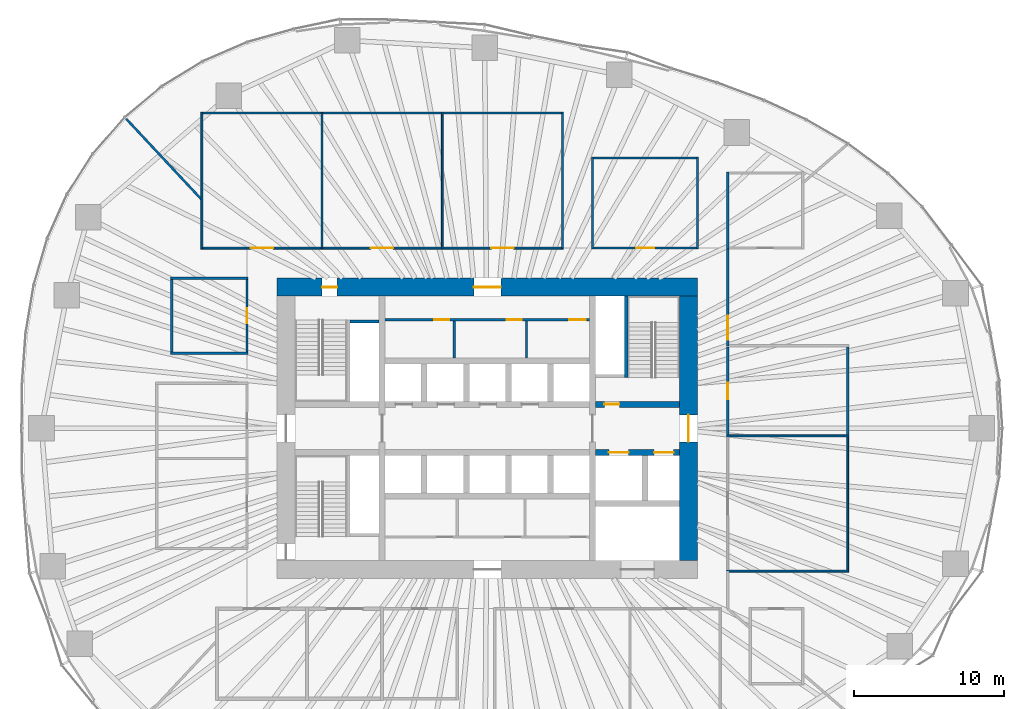
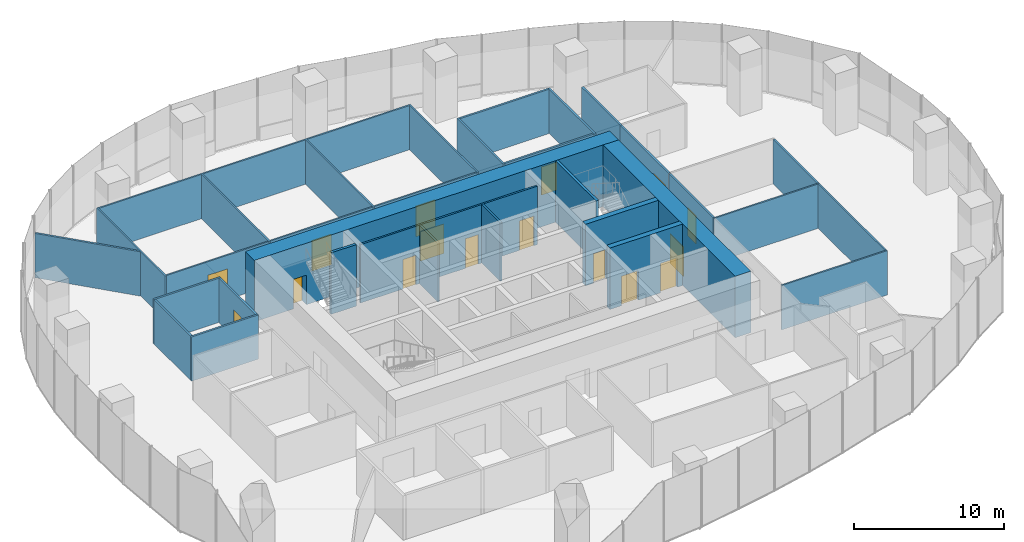
# One storey, part 11 of 20: 35 walls, 16 doors, 16 openings.
"""IFC4 building model written with IfcOpenShell, lengths in metres."""

from ifc_helpers import new_model, si_unit, direction, frame, frame_2d, origin, place, context, subcontext, project, spatial, rectangle, extrude, material, layer, layer_set, type_object, element, fill, save


model = new_model("IFC4")

# Units and contexts
model_context = context("Model", 3, precision=1e-05, world=origin(), true_north=direction((0.0, 1.0)))
body_context = subcontext(model_context, "Body", "Model", "MODEL_VIEW")
ifc_project = project(units=[si_unit("LENGTHUNIT", "METRE"), si_unit("AREAUNIT", "SQUARE_METRE"), si_unit("VOLUMEUNIT", "CUBIC_METRE"), si_unit("PLANEANGLEUNIT", "RADIAN"), si_unit("MASSUNIT", "GRAM", prefix="KILO")], contexts=[model_context])

# Site, building, storey
site_placement = place(None, origin())
site = spatial("IfcSite", under=ifc_project, at=site_placement, CompositionType="ELEMENT")
building_placement = place(site_placement, origin())
building = spatial("IfcBuilding", under=site, at=building_placement, Name="Ghaith Harvest Tower", CompositionType="ELEMENT")
storey_placement = place(building_placement, frame((0.0, 0.0, 60.0)))
storey = spatial("IfcBuildingStorey", under=building, at=storey_placement, Name="L12", CompositionType="ELEMENT", Elevation=60.0)

# Wall, openings, doors
ifc_material_1 = material(Name="Concrete blockwork, fair-faced", Category="masonry")
ifc_layer_1 = layer(ifc_material_1, 0.139892578125)
ifc_layer_set_1 = layer_set([ifc_layer_1], Name="CORE PARTITION 140")
wall_type_1 = type_object("IfcWallType", Name="CORE PARTITION 140", PredefinedType="PARTITIONING", material=ifc_layer_set_1)
wall_1_placement = place(storey_placement, frame((-6.800048828125, 7.22998046875, 0.0), z_axis=(0.0, 0.0, 1.0), x_axis=(1.0, 0.0, 0.0)))
wall_1 = element("IfcWall", 1, at=wall_1_placement, inside=storey, type_object=wall_type_1, Name="Core partition L12", PredefinedType="PARTITIONING", context=body_context, shape_type="SweptSolid", body=[
    extrude(rectangle(XDim=13.60009765625, YDim=0.139892578125, at=frame_2d((6.800048828125, 0.0))), origin(), (0.0, 0.0, 1.0), 4.75),
])
opening_1_placement = place(wall_1_placement, frame((3.280029296875, 0.0, 0.0)))
opening_1 = element("IfcOpeningElement", 2, at=opening_1_placement, cuts=wall_1, Name="Opening 12-008", PredefinedType="OPENING", context=body_context, shape_type="SweptSolid", body=[
    extrude(rectangle(XDim=1.0, YDim=2.39990234375, at=frame_2d((0.5, 1.199951171875))), frame((0.0, 0.080078125, 0.0), z_axis=(0.0, -1.0, 0.0), x_axis=(1.0, 0.0, 0.0)), (0.0, 0.0, 1.0), 0.159912109375),
])
opening_2_placement = place(wall_1_placement, frame((8.080078125, 0.0, 0.0)))
opening_2 = element("IfcOpeningElement", 3, at=opening_2_placement, cuts=wall_1, Name="Opening 12-009", PredefinedType="OPENING", context=body_context, shape_type="SweptSolid", body=[
    extrude(rectangle(XDim=1.0, YDim=2.39990234375, at=frame_2d((0.5, 1.199951171875))), frame((0.0, 0.080078125, 0.0), z_axis=(0.0, -1.0, 0.0), x_axis=(1.0, 0.0, 0.0)), (0.0, 0.0, 1.0), 0.159912109375),
])
opening_3_placement = place(wall_1_placement, frame((12.25, 0.0, 0.0)))
opening_3 = element("IfcOpeningElement", 4, at=opening_3_placement, cuts=wall_1, Name="Opening 12-010", PredefinedType="OPENING", context=body_context, shape_type="SweptSolid", body=[
    extrude(rectangle(XDim=1.10009765625, YDim=2.39990234375, at=frame_2d((0.550048828125, 1.199951171875))), frame((0.0, 0.080078125, 0.0), z_axis=(0.0, -1.0, 0.0), x_axis=(1.0, 0.0, 0.0)), (0.0, 0.0, 1.0), 0.159912109375),
])
ifc_material_2 = material(Name="Steel fire door", Category="steel")
door_type_1 = type_object("IfcDoorType", Name="D3 FD90 1000x2400", OperationType="SINGLE_SWING_LEFT", PredefinedType="DOOR", material=ifc_material_2)
door_1_placement = place(opening_1_placement, origin())
door_1 = element("IfcDoor", 5, at=door_1_placement, inside=storey, type_object=door_type_1, Name="Female WC door", OperationType="SINGLE_SWING_LEFT", OverallHeight=2.39990234375, OverallWidth=1.0, PredefinedType="DOOR", context=body_context, shape_type="SweptSolid", body=[
    extrude(rectangle(XDim=1.0, YDim=2.39990234375, at=frame_2d((0.5, 1.199951171875))), frame((0.0, 0.02490234375, 0.0), z_axis=(0.0, -1.0, 0.0), x_axis=(1.0, 0.0, 0.0)), (0.0, 0.0, 1.0), 0.050048828125),
])
fill(opening_1, door_1)
door_2_placement = place(opening_2_placement, origin())
door_2 = element("IfcDoor", 6, at=door_2_placement, inside=storey, type_object=door_type_1, Name="Male WC door", OperationType="SINGLE_SWING_RIGHT", OverallHeight=2.39990234375, OverallWidth=1.0, PredefinedType="DOOR", context=body_context, shape_type="SweptSolid", body=[
    extrude(rectangle(XDim=1.0, YDim=2.39990234375, at=frame_2d((0.5, 1.199951171875))), frame((0.0, 0.02490234375, 0.0), z_axis=(0.0, -1.0, 0.0), x_axis=(1.0, 0.0, 0.0)), (0.0, 0.0, 1.0), 0.050048828125),
])
fill(opening_2, door_2)
ifc_material_3 = material(Name="Steel fire door", Category="steel")
door_type_2 = type_object("IfcDoorType", Name="D9 FD90 1100x2400", OperationType="SINGLE_SWING_LEFT", PredefinedType="DOOR", material=ifc_material_3)
door_3_placement = place(opening_3_placement, origin())
door_3 = element("IfcDoor", 7, at=door_3_placement, inside=storey, type_object=door_type_2, Name="Accessible WC door", OperationType="SINGLE_SWING_RIGHT", OverallHeight=2.39990234375, OverallWidth=1.10009765625, PredefinedType="DOOR", context=body_context, shape_type="SweptSolid", body=[
    extrude(rectangle(XDim=1.10009765625, YDim=2.39990234375, at=frame_2d((0.550048828125, 1.199951171875))), frame((0.0, 0.02490234375, 0.0), z_axis=(0.0, -1.0, 0.0), x_axis=(1.0, 0.0, 0.0)), (0.0, 0.0, 1.0), 0.050048828125),
])
fill(opening_3, door_3)

# Walls
for number, where, z_axis, x_axis, name in (
    (8, (-2.199951171875, 4.699951171875, 0.0), (0.0, 0.0, 1.0), (0.0, 1.0, 0.0), "Core partition L12"),
    (9, (2.60009765625, 4.699951171875, 0.0), (0.0, 0.0, 1.0), (0.0, 1.0, 0.0), "Core partition L12"),
):
    element("IfcWall", number, at=place(storey_placement, frame(where, z_axis=z_axis, x_axis=x_axis)), inside=storey, type_object=wall_type_1, Name=name, PredefinedType="PARTITIONING", context=body_context, shape_type="SweptSolid", body=[
        extrude(rectangle(XDim=2.4599609375, YDim=0.139892578125, at=frame_2d((1.22998046875, 0.0))), origin(), (0.0, 0.0, 1.0), 4.75),
    ])

# Wall, openings, doors
ifc_material_4 = material(Name="Concrete C70/85", Category="concrete")
ifc_layer_2 = layer(ifc_material_4, 1.199951171875)
ifc_layer_set_2 = layer_set([ifc_layer_2], Name="CORE WALL CW1200")
wall_type_2 = type_object("IfcWallType", Name="CORE WALL CW1200", PredefinedType="SHEAR", material=ifc_layer_set_2)
wall_2_placement = place(storey_placement, frame((14.0, 9.39990234375, 0.0), z_axis=(0.0, 0.0, 1.0), x_axis=(-1.0, 0.0, 0.0)))
wall_2 = element("IfcWall", 10, at=wall_2_placement, inside=storey, type_object=wall_type_2, Name="Core wall N L12", PredefinedType="SHEAR", context=body_context, shape_type="SweptSolid", body=[
    extrude(rectangle(XDim=28.0, YDim=1.199951171875, at=frame_2d((14.0, 0.0))), origin(), (0.0, 0.0, 1.0), 5.0),
])
opening_4_placement = place(wall_2_placement, frame((24.0, 0.0, 0.0)))
opening_4 = element("IfcOpeningElement", 11, at=opening_4_placement, cuts=wall_2, Name="Opening 12-005", PredefinedType="OPENING", context=body_context, shape_type="SweptSolid", body=[
    extrude(rectangle(XDim=1.0, YDim=2.39990234375, at=frame_2d((0.5, 1.199951171875))), frame((0.0, 0.60986328125, 0.0), z_axis=(0.0, -1.0, 0.0), x_axis=(1.0, 0.0, 0.0)), (0.0, 0.0, 1.0), 1.219970703125),
])
opening_5_placement = place(wall_2_placement, frame((13.10009765625, 0.0, 0.0)))
opening_5 = element("IfcOpeningElement", 12, at=opening_5_placement, cuts=wall_2, Name="Opening 12-014", PredefinedType="OPENING", context=body_context, shape_type="SweptSolid", body=[
    extrude(rectangle(XDim=1.800048828125, YDim=2.39990234375, at=frame_2d((0.89990234375, 1.199951171875))), frame((0.0, 0.60986328125, 0.0), z_axis=(0.0, -1.0, 0.0), x_axis=(1.0, 0.0, 0.0)), (0.0, 0.0, 1.0), 1.219970703125),
])
door_4_placement = place(opening_4_placement, origin())
door_4 = element("IfcDoor", 13, at=door_4_placement, inside=storey, type_object=door_type_1, Name="Stair ST1 door", OperationType="SINGLE_SWING_RIGHT", OverallHeight=2.39990234375, OverallWidth=1.0, PredefinedType="DOOR", context=body_context, shape_type="SweptSolid", body=[
    extrude(rectangle(XDim=1.0, YDim=2.39990234375, at=frame_2d((0.5, 1.199951171875))), frame((0.0, 0.02490234375, 0.0), z_axis=(0.0, -1.0, 0.0), x_axis=(1.0, 0.0, 0.0)), (0.0, 0.0, 1.0), 0.050048828125),
])
fill(opening_4, door_4)
ifc_material_5 = material(Name="Steel fire door", Category="steel")
door_type_3 = type_object("IfcDoorType", Name="D4 FD90 PAIR 1800x2400", OperationType="DOUBLE_DOOR_SINGLE_SWING", PredefinedType="DOOR", material=ifc_material_5)
door_5_placement = place(opening_5_placement, origin())
door_5 = element("IfcDoor", 14, at=door_5_placement, inside=storey, type_object=door_type_3, Name="Core service corridor doors", OperationType="DOUBLE_DOOR_SINGLE_SWING", OverallHeight=2.39990234375, OverallWidth=1.800048828125, PredefinedType="DOOR", context=body_context, shape_type="SweptSolid", body=[
    extrude(rectangle(XDim=1.800048828125, YDim=2.39990234375, at=frame_2d((0.89990234375, 1.199951171875))), frame((0.0, 0.02490234375, 0.0), z_axis=(0.0, -1.0, 0.0), x_axis=(1.0, 0.0, 0.0)), (0.0, 0.0, 1.0), 0.050048828125),
])
fill(opening_5, door_5)

# Wall, opening, door
wall_3_placement = place(storey_placement, frame((13.39990234375, -8.800048828125, 0.0), z_axis=(0.0, 0.0, 1.0), x_axis=(0.0, 1.0, 0.0)))
wall_3 = element("IfcWall", 15, at=wall_3_placement, inside=storey, type_object=wall_type_2, Name="Core wall E L12", PredefinedType="SHEAR", context=body_context, shape_type="SweptSolid", body=[
    extrude(rectangle(XDim=17.60009765625, YDim=1.199951171875, at=frame_2d((8.800048828125, 0.0))), origin(), (0.0, 0.0, 1.0), 5.0),
])
opening_6_placement = place(wall_3_placement, frame((7.89990234375, 0.0, 0.0)))
opening_6 = element("IfcOpeningElement", 16, at=opening_6_placement, cuts=wall_3, Name="Opening 12-002", PredefinedType="OPENING", context=body_context, shape_type="SweptSolid", body=[
    extrude(rectangle(XDim=1.800048828125, YDim=2.39990234375, at=frame_2d((0.89990234375, 1.199951171875))), frame((0.0, 0.60986328125, 0.0), z_axis=(0.0, -1.0, 0.0), x_axis=(1.0, 0.0, 0.0)), (0.0, 0.0, 1.0), 1.219970703125),
])
door_6_placement = place(opening_6_placement, origin())
door_6 = element("IfcDoor", 17, at=door_6_placement, inside=storey, type_object=door_type_3, Name="Fire-fighting lobby doors", OperationType="DOUBLE_DOOR_SINGLE_SWING", OverallHeight=2.39990234375, OverallWidth=1.800048828125, PredefinedType="DOOR", context=body_context, shape_type="SweptSolid", body=[
    extrude(rectangle(XDim=1.800048828125, YDim=2.39990234375, at=frame_2d((0.89990234375, 1.199951171875))), frame((0.0, 0.02490234375, 0.0), z_axis=(0.0, -1.0, 0.0), x_axis=(1.0, 0.0, 0.0)), (0.0, 0.0, 1.0), 0.050048828125),
])
fill(opening_6, door_6)

# Walls
ifc_material_6 = material(Name="Insulated food-grade panel", Category="steel")
ifc_layer_3 = layer(ifc_material_6, 0.1201171875)
ifc_layer_set_3 = layer_set([ifc_layer_3], Name="INSULATED PANEL WALL 120")
wall_type_3 = type_object("IfcWallType", Name="INSULATED PANEL WALL 120", PredefinedType="PARTITIONING", material=ifc_layer_set_3)
for number, where, z_axis, x_axis, name in (
    (18, (-19.0, 11.93994140625, 0.0), (0.0, 0.0, 1.0), (0.0, 1.0, 0.0), "Partition L12 row N1 cross wall 1"),
    (19, (-11.0, 11.93994140625, 0.0), (0.0, 0.0, 1.0), (0.0, 1.0, 0.0), "Partition L12 row N1 cross wall 2"),
    (20, (-3.0, 11.93994140625, 0.0), (0.0, 0.0, 1.0), (0.0, 1.0, 0.0), "Partition L12 row N1 cross wall 3"),
    (21, (5.0, 11.93994140625, 0.0), (0.0, 0.0, 1.0), (0.0, 1.0, 0.0), "Partition L12 row N1 cross wall 4"),
):
    element("IfcWall", number, at=place(storey_placement, frame(where, z_axis=z_axis, x_axis=x_axis)), inside=storey, type_object=wall_type_3, Name=name, PredefinedType="PARTITIONING", context=body_context, shape_type="SweptSolid", body=[
        extrude(rectangle(XDim=9.1201171875, YDim=0.1201171875, at=frame_2d((4.56005859375, 0.0))), origin(), (0.0, 0.0, 1.0), 3.60009765625),
    ])

# Wall, opening, door
wall_4_placement = place(storey_placement, frame((-18.93994140625, 12.0, 0.0), z_axis=(0.0, 0.0, 1.0), x_axis=(1.0, 0.0, 0.0)))
wall_4 = element("IfcWall", 22, at=wall_4_placement, inside=storey, type_object=wall_type_3, Name="Partition L12-01", PredefinedType="PARTITIONING", context=body_context, shape_type="SweptSolid", body=[
    extrude(rectangle(XDim=7.8798828125, YDim=0.1201171875, at=frame_2d((3.93994140625, 0.0))), origin(), (0.0, 0.0, 1.0), 3.60009765625),
])
opening_7_placement = place(wall_4_placement, frame((3.18994140625, 0.0, 0.0)))
opening_7 = element("IfcOpeningElement", 23, at=opening_7_placement, cuts=wall_4, Name="Opening 12-023", PredefinedType="OPENING", context=body_context, shape_type="SweptSolid", body=[
    extrude(rectangle(XDim=1.5, YDim=2.5, at=frame_2d((0.75, 1.25))), frame((0.0, 0.070068359375, 0.0), z_axis=(0.0, -1.0, 0.0), x_axis=(1.0, 0.0, 0.0)), (0.0, 0.0, 1.0), 0.14013671875),
])
ifc_material_7 = material(Name="Insulated steel sliding door", Category="steel")
door_type_4 = type_object("IfcDoorType", Name="D13 COLD STORE SLIDING 1500x2500", OperationType="SLIDING_TO_LEFT", PredefinedType="DOOR", material=ifc_material_7)
door_7_placement = place(opening_7_placement, origin())
door_7 = element("IfcDoor", 24, at=door_7_placement, inside=storey, type_object=door_type_4, Name="Herb growing room door", OperationType="SLIDING_TO_LEFT", OverallHeight=2.5, OverallWidth=1.5, PredefinedType="DOOR", context=body_context, shape_type="SweptSolid", body=[
    extrude(rectangle(XDim=1.5, YDim=2.5, at=frame_2d((0.75, 1.25))), frame((0.0, 0.02490234375, 0.0), z_axis=(0.0, -1.0, 0.0), x_axis=(1.0, 0.0, 0.0)), (0.0, 0.0, 1.0), 0.050048828125),
])
fill(opening_7, door_7)

# Wall
wall_5_placement = place(storey_placement, frame((-18.93994140625, 21.0, 0.0), z_axis=(0.0, 0.0, 1.0), x_axis=(1.0, 0.0, 0.0)))
element("IfcWall", 25, at=wall_5_placement, inside=storey, type_object=wall_type_3, Name="Partition L12-01", PredefinedType="PARTITIONING", context=body_context, shape_type="SweptSolid", body=[
    extrude(rectangle(XDim=7.8798828125, YDim=0.1201171875, at=frame_2d((3.93994140625, 0.0))), origin(), (0.0, 0.0, 1.0), 3.60009765625),
])

# Wall, opening, door
wall_6_placement = place(storey_placement, frame((-10.93994140625, 12.0, 0.0), z_axis=(0.0, 0.0, 1.0), x_axis=(1.0, 0.0, 0.0)))
wall_6 = element("IfcWall", 26, at=wall_6_placement, inside=storey, type_object=wall_type_3, Name="Partition L12-02", PredefinedType="PARTITIONING", context=body_context, shape_type="SweptSolid", body=[
    extrude(rectangle(XDim=7.8798828125, YDim=0.1201171875, at=frame_2d((3.93994140625, 0.0))), origin(), (0.0, 0.0, 1.0), 3.60009765625),
])
opening_8_placement = place(wall_6_placement, frame((3.18994140625, 0.0, 0.0)))
opening_8 = element("IfcOpeningElement", 27, at=opening_8_placement, cuts=wall_6, Name="Opening 12-024", PredefinedType="OPENING", context=body_context, shape_type="SweptSolid", body=[
    extrude(rectangle(XDim=1.5, YDim=2.5, at=frame_2d((0.75, 1.25))), frame((0.0, 0.070068359375, 0.0), z_axis=(0.0, -1.0, 0.0), x_axis=(1.0, 0.0, 0.0)), (0.0, 0.0, 1.0), 0.14013671875),
])
door_8_placement = place(opening_8_placement, origin())
door_8 = element("IfcDoor", 28, at=door_8_placement, inside=storey, type_object=door_type_4, Name="Herb growing room door", OperationType="SLIDING_TO_LEFT", OverallHeight=2.5, OverallWidth=1.5, PredefinedType="DOOR", context=body_context, shape_type="SweptSolid", body=[
    extrude(rectangle(XDim=1.5, YDim=2.5, at=frame_2d((0.75, 1.25))), frame((0.0, 0.02490234375, 0.0), z_axis=(0.0, -1.0, 0.0), x_axis=(1.0, 0.0, 0.0)), (0.0, 0.0, 1.0), 0.050048828125),
])
fill(opening_8, door_8)

# Wall
wall_7_placement = place(storey_placement, frame((-10.93994140625, 21.0, 0.0), z_axis=(0.0, 0.0, 1.0), x_axis=(1.0, 0.0, 0.0)))
element("IfcWall", 29, at=wall_7_placement, inside=storey, type_object=wall_type_3, Name="Partition L12-02", PredefinedType="PARTITIONING", context=body_context, shape_type="SweptSolid", body=[
    extrude(rectangle(XDim=7.8798828125, YDim=0.1201171875, at=frame_2d((3.93994140625, 0.0))), origin(), (0.0, 0.0, 1.0), 3.60009765625),
])

# Wall, opening, door
wall_8_placement = place(storey_placement, frame((-2.93994140625, 12.0, 0.0), z_axis=(0.0, 0.0, 1.0), x_axis=(1.0, 0.0, 0.0)))
wall_8 = element("IfcWall", 30, at=wall_8_placement, inside=storey, type_object=wall_type_3, Name="Partition L12-03", PredefinedType="PARTITIONING", context=body_context, shape_type="SweptSolid", body=[
    extrude(rectangle(XDim=7.8798828125, YDim=0.1201171875, at=frame_2d((3.93994140625, 0.0))), origin(), (0.0, 0.0, 1.0), 3.60009765625),
])
opening_9_placement = place(wall_8_placement, frame((3.18994140625, 0.0, 0.0)))
opening_9 = element("IfcOpeningElement", 31, at=opening_9_placement, cuts=wall_8, Name="Opening 12-025", PredefinedType="OPENING", context=body_context, shape_type="SweptSolid", body=[
    extrude(rectangle(XDim=1.5, YDim=2.5, at=frame_2d((0.75, 1.25))), frame((0.0, 0.070068359375, 0.0), z_axis=(0.0, -1.0, 0.0), x_axis=(1.0, 0.0, 0.0)), (0.0, 0.0, 1.0), 0.14013671875),
])
door_9_placement = place(opening_9_placement, origin())
door_9 = element("IfcDoor", 32, at=door_9_placement, inside=storey, type_object=door_type_4, Name="Herb growing room door", OperationType="SLIDING_TO_LEFT", OverallHeight=2.5, OverallWidth=1.5, PredefinedType="DOOR", context=body_context, shape_type="SweptSolid", body=[
    extrude(rectangle(XDim=1.5, YDim=2.5, at=frame_2d((0.75, 1.25))), frame((0.0, 0.02490234375, 0.0), z_axis=(0.0, -1.0, 0.0), x_axis=(1.0, 0.0, 0.0)), (0.0, 0.0, 1.0), 0.050048828125),
])
fill(opening_9, door_9)

# Walls
wall_9_placement = place(storey_placement, frame((-2.93994140625, 21.0, 0.0), z_axis=(0.0, 0.0, 1.0), x_axis=(1.0, 0.0, 0.0)))
element("IfcWall", 33, at=wall_9_placement, inside=storey, type_object=wall_type_3, Name="Partition L12-03", PredefinedType="PARTITIONING", context=body_context, shape_type="SweptSolid", body=[
    extrude(rectangle(XDim=7.8798828125, YDim=0.1201171875, at=frame_2d((3.93994140625, 0.0))), origin(), (0.0, 0.0, 1.0), 3.60009765625),
])
wall_10_placement = place(storey_placement, frame((15.93994140625, -9.5, 0.0), z_axis=(0.0, 0.0, 1.0), x_axis=(1.0, 0.0, 0.0)))
element("IfcWall", 34, at=wall_10_placement, inside=storey, type_object=wall_type_3, Name="Partition L12 row E3 cross wall 1", PredefinedType="PARTITIONING", context=body_context, shape_type="SweptSolid", body=[
    extrude(rectangle(XDim=8.1201171875, YDim=0.1201171875, at=frame_2d((4.06005859375, 0.0))), origin(), (0.0, 0.0, 1.0), 3.60009765625),
])
wall_11_placement = place(storey_placement, frame((15.925048828125, -0.5, 0.0), z_axis=(0.0, 0.0, 1.0), x_axis=(1.0, 0.0, 0.0)))
element("IfcWall", 35, at=wall_11_placement, inside=storey, type_object=wall_type_3, Name="Partition L12 row E3 cross wall 2", PredefinedType="PARTITIONING", context=body_context, shape_type="SweptSolid", body=[
    extrude(rectangle(XDim=8.14990234375, YDim=0.1201171875, at=frame_2d((4.074951171875, 0.0))), origin(), (0.0, 0.0, 1.0), 3.60009765625),
])
wall_12_placement = place(storey_placement, frame((24.0, -9.43994140625, 0.0), z_axis=(0.0, 0.0, 1.0), x_axis=(0.0, 1.0, 0.0)))
element("IfcWall", 36, at=wall_12_placement, inside=storey, type_object=wall_type_3, Name="Partition L12-05", PredefinedType="PARTITIONING", context=body_context, shape_type="SweptSolid", body=[
    extrude(rectangle(XDim=8.8798828125, YDim=0.1201171875, at=frame_2d((4.43994140625, 0.0))), origin(), (0.0, 0.0, 1.0), 3.60009765625),
])
ifc_material_8 = material(Name="Gypsum board on steel studs", Category="steel")
ifc_layer_4 = layer(ifc_material_8, 0.14990234375)
ifc_layer_set_4 = layer_set([ifc_layer_4], Name="PARTITION 150")
wall_type_4 = type_object("IfcWallType", Name="PARTITION 150", PredefinedType="PARTITIONING", material=ifc_layer_set_4)
for number, where, z_axis, x_axis, name in (
    (37, (7.0, 11.925048828125, 0.0), (0.0, 0.0, 1.0), (0.0, 1.0, 0.0), "Partition L12 row N2 cross wall 1"),
    (38, (14.0, 11.925048828125, 0.0), (0.0, 0.0, 1.0), (0.0, 1.0, 0.0), "Partition L12 row N2 cross wall 2"),
):
    element("IfcWall", number, at=place(storey_placement, frame(where, z_axis=z_axis, x_axis=x_axis)), inside=storey, type_object=wall_type_4, Name=name, PredefinedType="PARTITIONING", context=body_context, shape_type="SweptSolid", body=[
        extrude(rectangle(XDim=6.14990234375, YDim=0.14990234375, at=frame_2d((3.074951171875, 0.0))), origin(), (0.0, 0.0, 1.0), 3.60009765625),
    ])

# Wall, opening, door
wall_13_placement = place(storey_placement, frame((7.074951171875, 12.0, 0.0), z_axis=(0.0, 0.0, 1.0), x_axis=(1.0, 0.0, 0.0)))
wall_13 = element("IfcWall", 39, at=wall_13_placement, inside=storey, type_object=wall_type_4, Name="Partition L12-04", PredefinedType="PARTITIONING", context=body_context, shape_type="SweptSolid", body=[
    extrude(rectangle(XDim=6.85009765625, YDim=0.14990234375, at=frame_2d((3.425048828125, 0.0))), origin(), (0.0, 0.0, 1.0), 3.60009765625),
])
opening_10_placement = place(wall_13_placement, frame((2.824951171875, 0.0, 0.0)))
opening_10 = element("IfcOpeningElement", 40, at=opening_10_placement, cuts=wall_13, Name="Opening 12-026", PredefinedType="OPENING", context=body_context, shape_type="SweptSolid", body=[
    extrude(rectangle(XDim=1.199951171875, YDim=2.300048828125, at=frame_2d((0.60009765625, 1.14990234375))), frame((0.0, 0.0849609375, 0.0), z_axis=(0.0, -1.0, 0.0), x_axis=(1.0, 0.0, 0.0)), (0.0, 0.0, 1.0), 0.169921875),
])
ifc_material_9 = material(Name="Timber door with vision panel", Category="wood")
door_type_5 = type_object("IfcDoorType", Name="D15 LABORATORY 1200x2300", OperationType="SINGLE_SWING_LEFT", PredefinedType="DOOR", material=ifc_material_9)
door_10_placement = place(opening_10_placement, origin())
door_10 = element("IfcDoor", 41, at=door_10_placement, inside=storey, type_object=door_type_5, Name="Quality laboratory door", OperationType="SINGLE_SWING_LEFT", OverallHeight=2.300048828125, OverallWidth=1.199951171875, PredefinedType="DOOR", context=body_context, shape_type="SweptSolid", body=[
    extrude(rectangle(XDim=1.199951171875, YDim=2.300048828125, at=frame_2d((0.60009765625, 1.14990234375))), frame((0.0, 0.02490234375, 0.0), z_axis=(0.0, -1.0, 0.0), x_axis=(1.0, 0.0, 0.0)), (0.0, 0.0, 1.0), 0.050048828125),
])
fill(opening_10, door_10)

# Wall
wall_14_placement = place(storey_placement, frame((7.074951171875, 18.0, 0.0), z_axis=(0.0, 0.0, 1.0), x_axis=(1.0, 0.0, 0.0)))
element("IfcWall", 42, at=wall_14_placement, inside=storey, type_object=wall_type_4, Name="Partition L12-04", PredefinedType="PARTITIONING", context=body_context, shape_type="SweptSolid", body=[
    extrude(rectangle(XDim=6.85009765625, YDim=0.14990234375, at=frame_2d((3.425048828125, 0.0))), origin(), (0.0, 0.0, 1.0), 3.60009765625),
])

# Wall, opening, door
wall_15_placement = place(storey_placement, frame((16.0, -0.43994140625, 0.0), z_axis=(0.0, 0.0, 1.0), x_axis=(0.0, 1.0, 0.0)))
wall_15 = element("IfcWall", 43, at=wall_15_placement, inside=storey, type_object=wall_type_4, Name="Partition L12-06", PredefinedType="PARTITIONING", context=body_context, shape_type="SweptSolid", body=[
    extrude(rectangle(XDim=5.864990234375, YDim=0.14990234375, at=frame_2d((2.9326171875, 0.0))), origin(), (0.0, 0.0, 1.0), 3.60009765625),
])
opening_11_placement = place(wall_15_placement, frame((2.382568359375, 0.0, 0.0)))
opening_11 = element("IfcOpeningElement", 44, at=opening_11_placement, cuts=wall_15, Name="Opening 12-028", PredefinedType="OPENING", context=body_context, shape_type="SweptSolid", body=[
    extrude(rectangle(XDim=1.10009765625, YDim=2.300048828125, at=frame_2d((0.550048828125, 1.14990234375))), frame((0.0, 0.0849609375, 0.0), z_axis=(0.0, -1.0, 0.0), x_axis=(1.0, 0.0, 0.0)), (0.0, 0.0, 1.0), 0.169921875),
])
ifc_material_10 = material(Name="Timber-framed glazed door", Category="wood")
door_type_6 = type_object("IfcDoorType", Name="D12 GLAZED OFFICE 1100x2300", OperationType="SINGLE_SWING_LEFT", PredefinedType="DOOR", material=ifc_material_10)
door_11_placement = place(opening_11_placement, origin())
door_11 = element("IfcDoor", 45, at=door_11_placement, inside=storey, type_object=door_type_6, Name="Crop office door", OperationType="SINGLE_SWING_LEFT", OverallHeight=2.300048828125, OverallWidth=1.10009765625, PredefinedType="DOOR", context=body_context, shape_type="SweptSolid", body=[
    extrude(rectangle(XDim=1.10009765625, YDim=2.300048828125, at=frame_2d((0.550048828125, 1.14990234375))), frame((0.0, 0.02490234375, 0.0), z_axis=(0.0, -1.0, 0.0), x_axis=(1.0, 0.0, 0.0)), (0.0, 0.0, 1.0), 0.050048828125),
])
fill(opening_11, door_11)

# Walls
wall_16_placement = place(storey_placement, frame((24.0, -0.43994140625, 0.0), z_axis=(0.0, 0.0, 1.0), x_axis=(0.0, 1.0, 0.0)))
element("IfcWall", 46, at=wall_16_placement, inside=storey, type_object=wall_type_4, Name="Partition L12-06", PredefinedType="PARTITIONING", context=body_context, shape_type="SweptSolid", body=[
    extrude(rectangle(XDim=5.864990234375, YDim=0.14990234375, at=frame_2d((2.9326171875, 0.0))), origin(), (0.0, 0.0, 1.0), 3.60009765625),
])
for number, where, z_axis, x_axis, name in (
    (47, (16.0, 11.925048828125, 0.0), (0.0, 0.0, 1.0), (0.0, 1.0, 0.0), "Partition L12 row N7 cross wall 1"),
    (48, (-15.925048828125, 5.0, 0.0), (0.0, 0.0, 1.0), (-1.0, 0.0, 0.0), "Partition L12 row W9 cross wall 1"),
    (49, (-15.925048828125, 10.0, 0.0), (0.0, 0.0, 1.0), (-1.0, 0.0, 0.0), "Partition L12 row W9 cross wall 2"),
):
    element("IfcWall", number, at=place(storey_placement, frame(where, z_axis=z_axis, x_axis=x_axis)), inside=storey, type_object=wall_type_4, Name=name, PredefinedType="PARTITIONING", context=body_context, shape_type="SweptSolid", body=[
        extrude(rectangle(XDim=5.14990234375, YDim=0.14990234375, at=frame_2d((2.574951171875, 0.0))), origin(), (0.0, 0.0, 1.0), 3.60009765625),
    ])

# Wall, opening, door
wall_17_placement = place(storey_placement, frame((-16.0, 5.074951171875, 0.0), z_axis=(0.0, 0.0, 1.0), x_axis=(0.0, 1.0, 0.0)))
wall_17 = element("IfcWall", 50, at=wall_17_placement, inside=storey, type_object=wall_type_4, Name="Partition L12-16", PredefinedType="PARTITIONING", context=body_context, shape_type="SweptSolid", body=[
    extrude(rectangle(XDim=4.85009765625, YDim=0.14990234375, at=frame_2d((2.425048828125, 0.0))), origin(), (0.0, 0.0, 1.0), 3.60009765625),
])
opening_12_placement = place(wall_17_placement, frame((1.925048828125, 0.0, 0.0)))
opening_12 = element("IfcOpeningElement", 51, at=opening_12_placement, cuts=wall_17, Name="Opening 12-038", PredefinedType="OPENING", context=body_context, shape_type="SweptSolid", body=[
    extrude(rectangle(XDim=1.0, YDim=2.199951171875, at=frame_2d((0.5, 1.10009765625))), frame((0.0, 0.0849609375, 0.0), z_axis=(0.0, -1.0, 0.0), x_axis=(1.0, 0.0, 0.0)), (0.0, 0.0, 1.0), 0.169921875),
])
ifc_material_11 = material(Name="Timber door", Category="wood")
door_type_7 = type_object("IfcDoorType", Name="D1 SINGLE 1000x2200", OperationType="SINGLE_SWING_LEFT", PredefinedType="DOOR", material=ifc_material_11)
door_12_placement = place(opening_12_placement, origin())
door_12 = element("IfcDoor", 52, at=door_12_placement, inside=storey, type_object=door_type_7, Name="Staff room door", OperationType="SINGLE_SWING_LEFT", OverallHeight=2.199951171875, OverallWidth=1.0, PredefinedType="DOOR", context=body_context, shape_type="SweptSolid", body=[
    extrude(rectangle(XDim=1.0, YDim=2.199951171875, at=frame_2d((0.5, 1.10009765625))), frame((0.0, 0.02490234375, 0.0), z_axis=(0.0, -1.0, 0.0), x_axis=(1.0, 0.0, 0.0)), (0.0, 0.0, 1.0), 0.050048828125),
])
fill(opening_12, door_12)

# Walls
wall_18_placement = place(storey_placement, frame((-21.0, 5.074951171875, 0.0), z_axis=(0.0, 0.0, 1.0), x_axis=(0.0, 1.0, 0.0)))
element("IfcWall", 53, at=wall_18_placement, inside=storey, type_object=wall_type_4, Name="Partition L12-16", PredefinedType="PARTITIONING", context=body_context, shape_type="SweptSolid", body=[
    extrude(rectangle(XDim=4.85009765625, YDim=0.14990234375, at=frame_2d((2.425048828125, 0.0))), origin(), (0.0, 0.0, 1.0), 3.60009765625),
])
wall_19_placement = place(storey_placement, frame((-19.02001953125, 15.23388671875, 0.0), z_axis=(0.0, 0.0, 1.0), x_axis=(-0.682519491562, 0.730867391281, 0.0)))
element("IfcWall", 54, at=wall_19_placement, inside=storey, type_object=wall_type_4, Name="Partition L12 zone division", PredefinedType="PARTITIONING", context=body_context, shape_type="SweptSolid", body=[
    extrude(rectangle(XDim=7.34716796875, YDim=0.14990234375, at=frame_2d((3.673583984375, 0.0))), origin(), (0.0, 0.0, 1.0), 3.60009765625),
])

# Wall, opening, door
wall_20_placement = place(storey_placement, frame((16.0, 5.5, 0.0), z_axis=(0.0, 0.0, 1.0), x_axis=(0.0, 1.0, 0.0)))
wall_20 = element("IfcWall", 55, at=wall_20_placement, inside=storey, type_object=wall_type_4, Name="Partition L12 zone enclosure", PredefinedType="PARTITIONING", context=body_context, shape_type="SweptSolid", body=[
    extrude(rectangle(XDim=6.5, YDim=0.14990234375, at=frame_2d((3.25, 0.0))), origin(), (0.0, 0.0, 1.0), 3.60009765625),
])
opening_13_placement = place(wall_20_placement, frame((0.39990234375, 0.0, 0.0)))
opening_13 = element("IfcOpeningElement", 56, at=opening_13_placement, cuts=wall_20, Name="Opening 12-039", PredefinedType="OPENING", context=body_context, shape_type="SweptSolid", body=[
    extrude(rectangle(XDim=1.60009765625, YDim=2.39990234375, at=frame_2d((0.800048828125, 1.199951171875))), frame((0.0, 0.0849609375, 0.0), z_axis=(0.0, -1.0, 0.0), x_axis=(1.0, 0.0, 0.0)), (0.0, 0.0, 1.0), 0.169921875),
])
ifc_material_12 = material(Name="Timber door", Category="wood")
door_type_8 = type_object("IfcDoorType", Name="D2 PAIR 1600x2400", OperationType="DOUBLE_DOOR_SINGLE_SWING", PredefinedType="DOOR", material=ifc_material_12)
door_13_placement = place(opening_13_placement, origin())
door_13 = element("IfcDoor", 57, at=door_13_placement, inside=storey, type_object=door_type_8, Name="Herb growing area east door", OperationType="DOUBLE_DOOR_SINGLE_SWING", OverallHeight=2.39990234375, OverallWidth=1.60009765625, PredefinedType="DOOR", context=body_context, shape_type="SweptSolid", body=[
    extrude(rectangle(XDim=1.60009765625, YDim=2.39990234375, at=frame_2d((0.800048828125, 1.199951171875))), frame((0.0, 0.02490234375, 0.0), z_axis=(0.0, -1.0, 0.0), x_axis=(1.0, 0.0, 0.0)), (0.0, 0.0, 1.0), 0.050048828125),
])
fill(opening_13, door_13)

ifc_material_13 = material(Name="Concrete C70/85", Category="concrete")
ifc_layer_5 = layer(ifc_material_13, 0.39990234375)
ifc_layer_set_5 = layer_set([ifc_layer_5], Name="SHAFT WALL 400")
wall_type_5 = type_object("IfcWallType", Name="SHAFT WALL 400", PredefinedType="SHEAR", material=ifc_layer_set_5)
wall_21_placement = place(storey_placement, frame((7.199951171875, 1.60009765625, 0.0), z_axis=(0.0, 0.0, 1.0), x_axis=(1.0, 0.0, 0.0)))
wall_21 = element("IfcWall", 58, at=wall_21_placement, inside=storey, type_object=wall_type_5, Name="Shaft wall EN L12", PredefinedType="SHEAR", context=body_context, shape_type="SweptSolid", body=[
    extrude(rectangle(XDim=5.60009765625, YDim=0.39990234375, at=frame_2d((2.800048828125, 0.0))), origin(), (0.0, 0.0, 1.0), 5.0),
])
opening_14_placement = place(wall_21_placement, frame((0.60009765625, 0.0, 0.0)))
opening_14 = element("IfcOpeningElement", 59, at=opening_14_placement, cuts=wall_21, Name="Opening 12-007", PredefinedType="OPENING", context=body_context, shape_type="SweptSolid", body=[
    extrude(rectangle(XDim=1.0, YDim=2.39990234375, at=frame_2d((0.5, 1.199951171875))), frame((0.0, 0.2099609375, 0.0), z_axis=(0.0, -1.0, 0.0), x_axis=(1.0, 0.0, 0.0)), (0.0, 0.0, 1.0), 0.419921875),
])
door_14_placement = place(opening_14_placement, origin())
door_14 = element("IfcDoor", 60, at=door_14_placement, inside=storey, type_object=door_type_1, Name="Stair ST2 door", OperationType="SINGLE_SWING_LEFT", OverallHeight=2.39990234375, OverallWidth=1.0, PredefinedType="DOOR", context=body_context, shape_type="SweptSolid", body=[
    extrude(rectangle(XDim=1.0, YDim=2.39990234375, at=frame_2d((0.5, 1.199951171875))), frame((0.0, 0.02490234375, 0.0), z_axis=(0.0, -1.0, 0.0), x_axis=(1.0, 0.0, 0.0)), (0.0, 0.0, 1.0), 0.050048828125),
])
fill(opening_14, door_14)

# Wall, openings, doors
wall_22_placement = place(storey_placement, frame((7.199951171875, -1.60009765625, 0.0), z_axis=(0.0, 0.0, 1.0), x_axis=(1.0, 0.0, 0.0)))
wall_22 = element("IfcWall", 61, at=wall_22_placement, inside=storey, type_object=wall_type_5, Name="Shaft wall ES L12", PredefinedType="SHEAR", context=body_context, shape_type="SweptSolid", body=[
    extrude(rectangle(XDim=5.60009765625, YDim=0.39990234375, at=frame_2d((2.800048828125, 0.0))), origin(), (0.0, 0.0, 1.0), 5.0),
])
opening_15_placement = place(wall_22_placement, frame((0.89990234375, 0.0, 0.0)))
opening_15 = element("IfcOpeningElement", 62, at=opening_15_placement, cuts=wall_22, Name="Opening 12-020", PredefinedType="OPENING", context=body_context, shape_type="SweptSolid", body=[
    extrude(rectangle(XDim=1.300048828125, YDim=2.39990234375, at=frame_2d((0.64990234375, 1.199951171875))), frame((0.0, 0.2099609375, 0.0), z_axis=(0.0, -1.0, 0.0), x_axis=(1.0, 0.0, 0.0)), (0.0, 0.0, 1.0), 0.419921875),
])
opening_16_placement = place(wall_22_placement, frame((3.89990234375, 0.0, 0.0)))
opening_16 = element("IfcOpeningElement", 63, at=opening_16_placement, cuts=wall_22, Name="Opening 12-021", PredefinedType="OPENING", context=body_context, shape_type="SweptSolid", body=[
    extrude(rectangle(XDim=1.300048828125, YDim=2.39990234375, at=frame_2d((0.64990234375, 1.199951171875))), frame((0.0, 0.2099609375, 0.0), z_axis=(0.0, -1.0, 0.0), x_axis=(1.0, 0.0, 0.0)), (0.0, 0.0, 1.0), 0.419921875),
])
ifc_material_14 = material(Name="Steel fire door", Category="steel")
door_type_9 = type_object("IfcDoorType", Name="LD2 LANDING 1300x2400", OperationType="DOUBLE_DOOR_SLIDING", PredefinedType="DOOR", material=ifc_material_14)
door_15_placement = place(opening_15_placement, origin())
door_15 = element("IfcDoor", 64, at=door_15_placement, inside=storey, type_object=door_type_9, Name="Landing door, fire service lift FL1", OperationType="DOUBLE_DOOR_SLIDING", OverallHeight=2.39990234375, OverallWidth=1.300048828125, PredefinedType="DOOR", context=body_context, shape_type="SweptSolid", body=[
    extrude(rectangle(XDim=1.300048828125, YDim=2.39990234375, at=frame_2d((0.64990234375, 1.199951171875))), frame((0.0, 0.02490234375, 0.0), z_axis=(0.0, -1.0, 0.0), x_axis=(1.0, 0.0, 0.0)), (0.0, 0.0, 1.0), 0.050048828125),
])
fill(opening_15, door_15)
door_16_placement = place(opening_16_placement, origin())
door_16 = element("IfcDoor", 65, at=door_16_placement, inside=storey, type_object=door_type_9, Name="Landing door, fire service lift FL2", OperationType="DOUBLE_DOOR_SLIDING", OverallHeight=2.39990234375, OverallWidth=1.300048828125, PredefinedType="DOOR", context=body_context, shape_type="SweptSolid", body=[
    extrude(rectangle(XDim=1.300048828125, YDim=2.39990234375, at=frame_2d((0.64990234375, 1.199951171875))), frame((0.0, 0.02490234375, 0.0), z_axis=(0.0, -1.0, 0.0), x_axis=(1.0, 0.0, 0.0)), (0.0, 0.0, 1.0), 0.050048828125),
])
fill(opening_16, door_16)

# Walls
ifc_material_15 = material(Name="Concrete C40/50", Category="concrete")
ifc_layer_6 = layer(ifc_material_15, 0.199951171875)
ifc_layer_set_6 = layer_set([ifc_layer_6], Name="STAIR SPINE WALL RC200")
wall_type_6 = type_object("IfcWallType", Name="STAIR SPINE WALL RC200", PredefinedType="SOLIDWALL", material=ifc_layer_set_6)
wall_23_placement = place(storey_placement, frame((-9.14990234375, 7.10009765625, 0.0), z_axis=(0.0, 0.0, 1.0), x_axis=(1.0, 0.0, 0.0)))
element("IfcWall", 66, at=wall_23_placement, inside=storey, type_object=wall_type_6, Name="Stair ST1 spine wall return L12", PredefinedType="SOLIDWALL", context=body_context, shape_type="SweptSolid", body=[
    extrude(rectangle(XDim=1.949951171875, YDim=0.199951171875, at=frame_2d((0.97509765625, 0.0))), origin(), (0.0, 0.0, 1.0), 5.0),
])
wall_24_placement = place(storey_placement, frame((9.25, 3.39990234375, 0.0), z_axis=(0.0, 0.0, 1.0), x_axis=(0.0, 1.0, 0.0)))
element("IfcWall", 67, at=wall_24_placement, inside=storey, type_object=wall_type_6, Name="Stair ST2 spine wall L12", PredefinedType="SOLIDWALL", context=body_context, shape_type="SweptSolid", body=[
    extrude(rectangle(XDim=5.400146484375, YDim=0.199951171875, at=frame_2d((2.7001953125, 0.0))), origin(), (0.0, 0.0, 1.0), 5.0),
])

save(model, "model.ifc")
